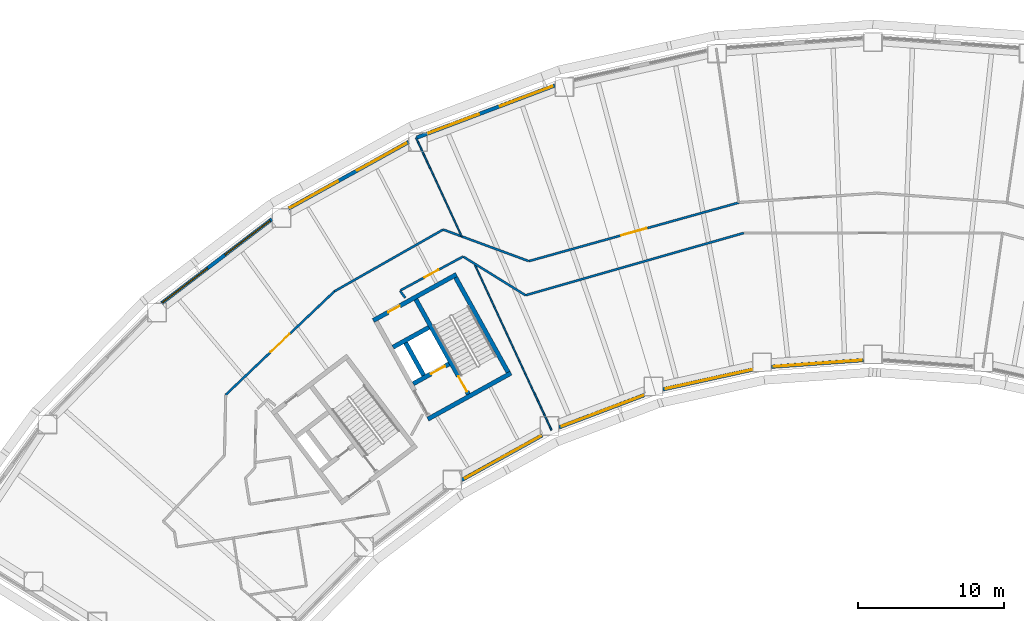
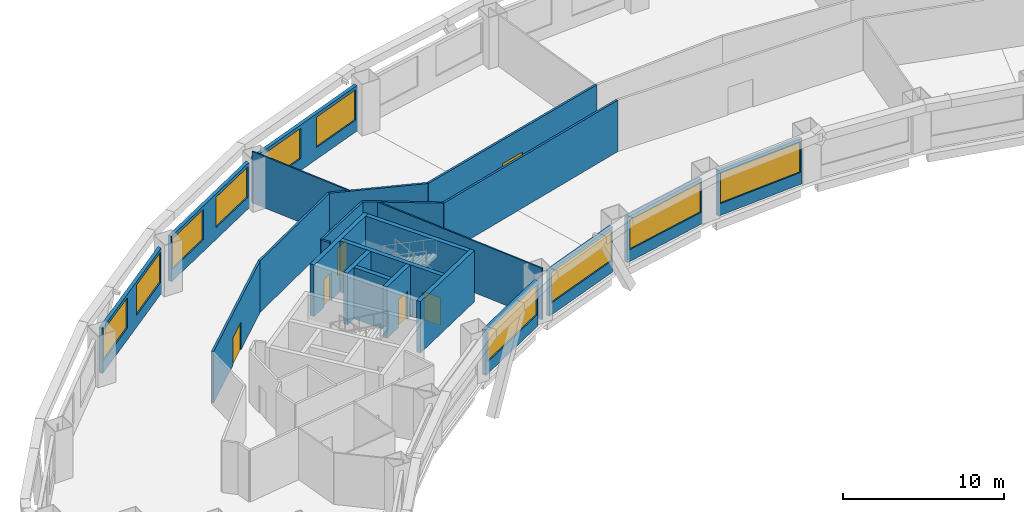
# One storey, part 4 of 14: 24 walls, 10 windows, 6 doors, 16 openings.
"""IFC4 building model written with IfcOpenShell, lengths in metres."""

from ifc_helpers import new_model, si_unit, direction, frame, frame_2d, origin, place, context, subcontext, project, spatial, rectangle, extrude, material, layer, layer_set, type_object, element, fill, save


model = new_model("IFC4")

# Units and contexts
model_context = context("Model", 3, precision=1e-05, world=origin(), true_north=direction((0.0, 1.0)))
body_context = subcontext(model_context, "Body", "Model", "MODEL_VIEW")
ifc_project = project(units=[si_unit("LENGTHUNIT", "METRE"), si_unit("AREAUNIT", "SQUARE_METRE"), si_unit("VOLUMEUNIT", "CUBIC_METRE"), si_unit("PLANEANGLEUNIT", "RADIAN"), si_unit("MASSUNIT", "GRAM", prefix="KILO")], contexts=[model_context])

# Site, building, storey
site_placement = place(None, origin())
site = spatial("IfcSite", under=ifc_project, at=site_placement, CompositionType="ELEMENT")
building_placement = place(site_placement, origin())
building = spatial("IfcBuilding", under=site, at=building_placement, Name="Tuul Gate Civic Tower", CompositionType="ELEMENT")
storey_placement = place(building_placement, frame((0.0, 0.0, 44.10009765625)))
storey = spatial("IfcBuildingStorey", under=building, at=storey_placement, Name="Level 09", CompositionType="ELEMENT", Elevation=44.10009765625)

# Wall
ifc_material_1 = material(Name="Concrete C50/60", Category="concrete")
ifc_layer_1 = layer(ifc_material_1, 0.300048828125)
ifc_layer_set_1 = layer_set([ifc_layer_1], Name="Concrete C50/60")
wall_type_1 = type_object("IfcWallType", Name="Core wall C50/60", PredefinedType="SHEAR", material=ifc_layer_set_1)
wall_1_placement = place(storey_placement, frame((-24.711669921875, -8.7158203125, 0.0), z_axis=(0.0, 0.0, 1.0), x_axis=(-0.874629909008, -0.484791215132, 0.0)))
element("IfcWall", 1, at=wall_1_placement, inside=storey, type_object=wall_type_1, Name="Core wall", PredefinedType="SHEAR", context=body_context, shape_type="SweptSolid", body=[
    extrude(rectangle(XDim=6.5, YDim=0.300048828125, at=frame_2d((3.25, 0.0))), origin(), (0.0, 0.0, 1.0), 3.89990234375),
])

# Wall, opening, door
wall_2_placement = place(storey_placement, frame((-28.94580078125, -8.090087890625, 0.0), z_axis=(0.0, 0.0, 1.0), x_axis=(-0.874629840737, -0.484791338301, 0.0)))
wall_2 = element("IfcWall", 2, at=wall_2_placement, inside=storey, type_object=wall_type_1, Name="Core wall", PredefinedType="SHEAR", context=body_context, shape_type="SweptSolid", body=[
    extrude(rectangle(XDim=2.800048828125, YDim=0.300048828125, at=frame_2d((1.39990234375, 0.0))), origin(), (0.0, 0.0, 1.0), 3.89990234375),
])
opening_1_placement = place(wall_2_placement, frame((0.324951171875, 0.0, 0.0)))
opening_1 = element("IfcOpeningElement", 3, at=opening_1_placement, cuts=wall_2, Name="Opening LD-FF-1", PredefinedType="OPENING", context=body_context, shape_type="SweptSolid", body=[
    extrude(rectangle(XDim=1.10009765625, YDim=2.10009765625, at=frame_2d((0.550048828125, 1.050048828125))), frame((0.0, 0.16015625, 0.0), z_axis=(0.0, -1.0, 0.0), x_axis=(1.0, 0.0, 0.0)), (0.0, 0.0, 1.0), 0.320068359375),
])
ifc_material_2 = material(Name="Stainless steel", Category="steel")
door_type_1 = type_object("IfcDoorType", Name="Landing door", OperationType="DOUBLE_DOOR_SLIDING", PredefinedType="DOOR", material=ifc_material_2)
door_1_placement = place(opening_1_placement, origin())
door_1 = element("IfcDoor", 4, at=door_1_placement, inside=storey, type_object=door_type_1, Name="Fire-fighting lift FF-1 landing door", OperationType="DOUBLE_DOOR_SLIDING", OverallHeight=2.10009765625, OverallWidth=1.10009765625, PredefinedType="DOOR", context=body_context, shape_type="SweptSolid", body=[
    extrude(rectangle(XDim=1.10009765625, YDim=2.10009765625, at=frame_2d((0.550048828125, 1.050048828125))), frame((0.0, 0.02490234375, 0.0), z_axis=(0.0, -1.0, 0.0), x_axis=(1.0, 0.0, 0.0)), (0.0, 0.0, 1.0), 0.050048828125),
])
fill(opening_1, door_1)

# Wall
wall_3_placement = place(storey_placement, frame((-30.327392578125, -5.59716796875, 0.0), z_axis=(0.0, 0.0, 1.0), x_axis=(-0.874629840737, -0.484791338301, 0.0)))
element("IfcWall", 5, at=wall_3_placement, inside=storey, type_object=wall_type_1, Name="Core wall", PredefinedType="SHEAR", context=body_context, shape_type="SweptSolid", body=[
    extrude(rectangle(XDim=2.800048828125, YDim=0.300048828125, at=frame_2d((1.39990234375, 0.0))), origin(), (0.0, 0.0, 1.0), 3.89990234375),
])

# Wall, opening, door
wall_4_placement = place(storey_placement, frame((-28.4443359375, -1.98095703125, 0.0), z_axis=(0.0, 0.0, 1.0), x_axis=(-0.874629909008, -0.484791215132, 0.0)))
wall_4 = element("IfcWall", 6, at=wall_4_placement, inside=storey, type_object=wall_type_1, Name="Core wall", PredefinedType="SHEAR", context=body_context, shape_type="SweptSolid", body=[
    extrude(rectangle(XDim=6.5, YDim=0.300048828125, at=frame_2d((3.25, 0.0))), origin(), (0.0, 0.0, 1.0), 3.89990234375),
])
opening_2_placement = place(wall_4_placement, frame((4.425048828125, 0.0, 0.0)))
opening_2 = element("IfcOpeningElement", 7, at=opening_2_placement, cuts=wall_4, Name="Opening B-D18", PredefinedType="OPENING", context=body_context, shape_type="SweptSolid", body=[
    extrude(rectangle(XDim=0.89990234375, YDim=2.10009765625, at=frame_2d((0.449951171875, 1.050048828125))), frame((0.0, 0.16015625, 0.0), z_axis=(0.0, -1.0, 0.0), x_axis=(1.0, 0.0, 0.0)), (0.0, 0.0, 1.0), 0.320068359375),
])
ifc_material_3 = material(Name="Timber door leaf", Category="wood")
door_type_2 = type_object("IfcDoorType", Name="Door D09", OperationType="NOTDEFINED", PredefinedType="DOOR", material=ifc_material_3)
door_2_placement = place(opening_2_placement, origin())
door_2 = element("IfcDoor", 8, at=door_2_placement, inside=storey, type_object=door_type_2, Name="Door B-D18", OperationType="SINGLE_SWING_LEFT", OverallHeight=2.10009765625, OverallWidth=0.89990234375, PredefinedType="DOOR", context=body_context, shape_type="SweptSolid", body=[
    extrude(rectangle(XDim=0.89990234375, YDim=2.10009765625, at=frame_2d((0.449951171875, 1.050048828125))), frame((0.0, 0.02490234375, 0.0), z_axis=(0.0, -1.0, 0.0), x_axis=(1.0, 0.0, 0.0)), (0.0, 0.0, 1.0), 0.050048828125),
])
fill(opening_2, door_2)

# Wall
wall_5_placement = place(storey_placement, frame((-24.91552734375, -8.6572265625, 0.0), z_axis=(0.0, 0.0, 1.0), x_axis=(-0.484777133038, 0.874637714304, 0.0)))
element("IfcWall", 9, at=wall_5_placement, inside=storey, type_object=wall_type_1, Name="Core wall", PredefinedType="SHEAR", context=body_context, shape_type="SweptSolid", body=[
    extrude(rectangle(XDim=7.400146484375, YDim=0.300048828125, at=frame_2d((3.7001953125, 0.0))), origin(), (0.0, 0.0, 1.0), 3.89990234375),
])

# Wall, opening, door
wall_6_placement = place(storey_placement, frame((-27.626953125, -10.16015625, 0.0), z_axis=(0.0, 0.0, 1.0), x_axis=(-0.484751894226, 0.874651702704, 0.0)))
wall_6 = element("IfcWall", 10, at=wall_6_placement, inside=storey, type_object=wall_type_1, Name="Core wall", PredefinedType="SHEAR", context=body_context, shape_type="SweptSolid", body=[
    extrude(rectangle(XDim=7.39990234375, YDim=0.300048828125, at=frame_2d((3.699951171875, 0.0))), origin(), (0.0, 0.0, 1.0), 3.89990234375),
])
opening_3_placement = place(wall_6_placement, frame((0.199951171875, 0.0, 0.0)))
opening_3 = element("IfcOpeningElement", 11, at=opening_3_placement, cuts=wall_6, Name="Opening SD-ST-2", PredefinedType="OPENING", context=body_context, shape_type="SweptSolid", body=[
    extrude(rectangle(XDim=1.199951171875, YDim=2.10009765625, at=frame_2d((0.60009765625, 1.050048828125))), frame((0.0, 0.16015625, 0.0), z_axis=(0.0, -1.0, 0.0), x_axis=(1.0, 0.0, 0.0)), (0.0, 0.0, 1.0), 0.320068359375),
])
ifc_material_4 = material(Name="Steel", Category="steel")
door_type_3 = type_object("IfcDoorType", Name="Stair door", OperationType="NOTDEFINED", PredefinedType="DOOR", material=ifc_material_4)
door_3_placement = place(opening_3_placement, origin())
door_3 = element("IfcDoor", 12, at=door_3_placement, inside=storey, type_object=door_type_3, Name="Stair door ST-2", OperationType="SINGLE_SWING_LEFT", OverallHeight=2.10009765625, OverallWidth=1.199951171875, PredefinedType="DOOR", context=body_context, shape_type="SweptSolid", body=[
    extrude(rectangle(XDim=1.199951171875, YDim=2.10009765625, at=frame_2d((0.60009765625, 1.050048828125))), frame((0.0, 0.02490234375, 0.0), z_axis=(0.0, -1.0, 0.0), x_axis=(1.0, 0.0, 0.0)), (0.0, 0.0, 1.0), 0.050048828125),
])
fill(opening_3, door_3)

# Wall
wall_7_placement = place(storey_placement, frame((-30.680419921875, -8.8798828125, 0.0), z_axis=(0.0, 0.0, 1.0), x_axis=(-0.484724115216, 0.874667097888, 0.0)))
element("IfcWall", 13, at=wall_7_placement, inside=storey, type_object=wall_type_1, Name="Core wall", PredefinedType="SHEAR", context=body_context, shape_type="SweptSolid", body=[
    extrude(rectangle(XDim=2.550048828125, YDim=0.300048828125, at=frame_2d((1.27490234375, 0.0))), origin(), (0.0, 0.0, 1.0), 3.89990234375),
])

# Wall, opening, door
ifc_material_5 = material(Name="Gypsum board partition")
ifc_layer_2 = layer(ifc_material_5, 0.14990234375)
ifc_layer_set_2 = layer_set([ifc_layer_2], Name="Gypsum board partition")
wall_type_2 = type_object("IfcWallType", Name="Corridor wall P150", PredefinedType="PARTITIONING", material=ifc_layer_set_2)
wall_8_placement = place(storey_placement, frame((-23.492431640625, -1.0703125, 0.0), z_axis=(0.0, 0.0, 1.0), x_axis=(0.963275368235, 0.268515483636, 0.0)))
wall_8 = element("IfcWall", 14, at=wall_8_placement, inside=storey, type_object=wall_type_2, Name="p028", PredefinedType="PARTITIONING", context=body_context, shape_type="SweptSolid", body=[
    extrude(rectangle(XDim=14.92138671875, YDim=0.14990234375, at=frame_2d((7.460693359375, 0.0))), origin(), (0.0, 0.0, 1.0), 3.89990234375),
])
opening_4_placement = place(wall_8_placement, frame((6.53759765625, 0.0, 0.0)))
opening_4 = element("IfcOpeningElement", 15, at=opening_4_placement, cuts=wall_8, Name="Opening B-D05", PredefinedType="OPENING", context=body_context, shape_type="SweptSolid", body=[
    extrude(rectangle(XDim=1.800048828125, YDim=2.10009765625, at=frame_2d((0.89990234375, 1.050048828125))), frame((0.0, 0.0849609375, 0.0), z_axis=(0.0, -1.0, 0.0), x_axis=(1.0, 0.0, 0.0)), (0.0, 0.0, 1.0), 0.169921875),
])
ifc_material_6 = material(Name="Timber door leaf, double", Category="wood")
door_type_4 = type_object("IfcDoorType", Name="Door D18", OperationType="DOUBLE_DOOR_SINGLE_SWING", PredefinedType="DOOR", material=ifc_material_6)
door_4_placement = place(opening_4_placement, origin())
door_4 = element("IfcDoor", 16, at=door_4_placement, inside=storey, type_object=door_type_4, Name="Door B-D05", OperationType="DOUBLE_DOOR_SINGLE_SWING", OverallHeight=2.10009765625, OverallWidth=1.800048828125, PredefinedType="DOOR", context=body_context, shape_type="SweptSolid", body=[
    extrude(rectangle(XDim=1.800048828125, YDim=2.10009765625, at=frame_2d((0.89990234375, 1.050048828125))), frame((0.0, 0.02490234375, 0.0), z_axis=(0.0, -1.0, 0.0), x_axis=(1.0, 0.0, 0.0)), (0.0, 0.0, 1.0), 0.050048828125),
])
fill(opening_4, door_4)

# Walls
wall_9_placement = place(storey_placement, frame((-29.3486328125, 1.084228515625, 0.0), z_axis=(0.0, 0.0, 1.0), x_axis=(0.938272147165, -0.345897929822, 0.0)))
element("IfcWall", 17, at=wall_9_placement, inside=storey, type_object=wall_type_2, Name="p031", PredefinedType="PARTITIONING", context=body_context, shape_type="SweptSolid", body=[
    extrude(rectangle(XDim=6.2275390625, YDim=0.14990234375, at=frame_2d((3.11376953125, 0.0))), origin(), (0.0, 0.0, 1.0), 3.89990234375),
])
wall_10_placement = place(storey_placement, frame((-36.777587890625, -3.133544921875, 0.0), z_axis=(0.0, 0.0, 1.0), x_axis=(0.869618597413, 0.493724108216, 0.0)))
element("IfcWall", 18, at=wall_10_placement, inside=storey, type_object=wall_type_2, Name="p036", PredefinedType="PARTITIONING", context=body_context, shape_type="SweptSolid", body=[
    extrude(rectangle(XDim=8.542724609375, YDim=0.14990234375, at=frame_2d((4.271484375, 0.0))), origin(), (0.0, 0.0, 1.0), 3.89990234375),
])

# Wall, opening, door
wall_11_placement = place(storey_placement, frame((-44.205810546875, -10.203857421875, 0.0), z_axis=(0.0, 0.0, 1.0), x_axis=(0.724341713939, 0.689441137043, 0.0)))
wall_11 = element("IfcWall", 19, at=wall_11_placement, inside=storey, type_object=wall_type_2, Name="p037", PredefinedType="PARTITIONING", context=body_context, shape_type="SweptSolid", body=[
    extrude(rectangle(XDim=10.255126953125, YDim=0.14990234375, at=frame_2d((5.12744140625, 0.0))), origin(), (0.0, 0.0, 1.0), 3.89990234375),
])
opening_5_placement = place(wall_11_placement, frame((4.2275390625, 0.0, 0.0)))
opening_5 = element("IfcOpeningElement", 20, at=opening_5_placement, cuts=wall_11, Name="Opening B-D06", PredefinedType="OPENING", context=body_context, shape_type="SweptSolid", body=[
    extrude(rectangle(XDim=1.800048828125, YDim=2.10009765625, at=frame_2d((0.89990234375, 1.050048828125))), frame((0.0, 0.0849609375, 0.0), z_axis=(0.0, -1.0, 0.0), x_axis=(1.0, 0.0, 0.0)), (0.0, 0.0, 1.0), 0.169921875),
])
door_5_placement = place(opening_5_placement, origin())
door_5 = element("IfcDoor", 21, at=door_5_placement, inside=storey, type_object=door_type_4, Name="Door B-D06", OperationType="DOUBLE_DOOR_SINGLE_SWING", OverallHeight=2.10009765625, OverallWidth=1.800048828125, PredefinedType="DOOR", context=body_context, shape_type="SweptSolid", body=[
    extrude(rectangle(XDim=1.800048828125, YDim=2.10009765625, at=frame_2d((0.89990234375, 1.050048828125))), frame((0.0, 0.02490234375, 0.0), z_axis=(0.0, -1.0, 0.0), x_axis=(1.0, 0.0, 0.0)), (0.0, 0.0, 1.0), 0.050048828125),
])
fill(opening_5, door_5)

# Walls
wall_12_placement = place(storey_placement, frame((-27.98046875, -0.762939453125, 0.0), z_axis=(0.0, 0.0, 1.0), x_axis=(0.849717007956, -0.527239041034, 0.0)))
element("IfcWall", 22, at=wall_12_placement, inside=storey, type_object=wall_type_2, Name="p045", PredefinedType="PARTITIONING", context=body_context, shape_type="SweptSolid", body=[
    extrude(rectangle(XDim=5.006591796875, YDim=0.14990234375, at=frame_2d((2.50341796875, 0.0))), origin(), (0.0, 0.0, 1.0), 3.89990234375),
])
wall_13_placement = place(storey_placement, frame((-23.72509765625, -3.40283203125, 0.0), z_axis=(0.0, 0.0, 1.0), x_axis=(0.961602366551, 0.274446513264, 0.0)))
element("IfcWall", 23, at=wall_13_placement, inside=storey, type_object=wall_type_2, Name="p046", PredefinedType="PARTITIONING", context=body_context, shape_type="SweptSolid", body=[
    extrude(rectangle(XDim=15.5, YDim=0.14990234375, at=frame_2d((7.75, 0.0))), origin(), (0.0, 0.0, 1.0), 3.89990234375),
])
wall_14_placement = place(storey_placement, frame((-32.288818359375, -3.107421875, 0.0), z_axis=(0.0, 0.0, 1.0), x_axis=(0.590436768377, -0.807083900563, 0.0)))
element("IfcWall", 24, at=wall_14_placement, inside=storey, type_object=wall_type_2, Name="p050", PredefinedType="PARTITIONING", context=body_context, shape_type="SweptSolid", body=[
    extrude(rectangle(XDim=0.58251953125, YDim=0.14990234375, at=frame_2d((0.291259765625, 0.0))), origin(), (0.0, 0.0, 1.0), 3.89990234375),
])

# Wall, opening, door
wall_15_placement = place(storey_placement, frame((-32.281982421875, -3.077392578125, 0.0), z_axis=(0.0, 0.0, 1.0), x_axis=(0.879607802106, 0.475699605291, 0.0)))
wall_15 = element("IfcWall", 25, at=wall_15_placement, inside=storey, type_object=wall_type_2, Name="p051", PredefinedType="PARTITIONING", context=body_context, shape_type="SweptSolid", body=[
    extrude(rectangle(XDim=4.866455078125, YDim=0.14990234375, at=frame_2d((2.43310546875, 0.0))), origin(), (0.0, 0.0, 1.0), 3.89990234375),
])
opening_6_placement = place(wall_15_placement, frame((1.88330078125, 0.0, 0.0)))
opening_6 = element("IfcOpeningElement", 26, at=opening_6_placement, cuts=wall_15, Name="Opening B-D10", PredefinedType="OPENING", context=body_context, shape_type="SweptSolid", body=[
    extrude(rectangle(XDim=1.10009765625, YDim=2.10009765625, at=frame_2d((0.550048828125, 1.050048828125))), frame((0.0, 0.0849609375, 0.0), z_axis=(0.0, -1.0, 0.0), x_axis=(1.0, 0.0, 0.0)), (0.0, 0.0, 1.0), 0.169921875),
])
ifc_material_7 = material(Name="Timber door leaf", Category="wood")
door_type_5 = type_object("IfcDoorType", Name="Door D11", OperationType="NOTDEFINED", PredefinedType="DOOR", material=ifc_material_7)
door_6_placement = place(opening_6_placement, origin())
door_6 = element("IfcDoor", 27, at=door_6_placement, inside=storey, type_object=door_type_5, Name="Door B-D10", OperationType="SINGLE_SWING_RIGHT", OverallHeight=2.10009765625, OverallWidth=1.10009765625, PredefinedType="DOOR", context=body_context, shape_type="SweptSolid", body=[
    extrude(rectangle(XDim=1.10009765625, YDim=2.10009765625, at=frame_2d((0.550048828125, 1.050048828125))), frame((0.0, 0.02490234375, 0.0), z_axis=(0.0, -1.0, 0.0), x_axis=(1.0, 0.0, 0.0)), (0.0, 0.0, 1.0), 0.050048828125),
])
fill(opening_6, door_6)

# Wall, openings, windows
ifc_material_8 = material(Name="Precast concrete C40/50", Category="concrete")
ifc_layer_3 = layer(ifc_material_8, 0.25)
ifc_layer_set_3 = layer_set([ifc_layer_3], Name="Precast concrete C40/50")
wall_type_3 = type_object("IfcWallType", Name="External wall", PredefinedType="STANDARD", material=ifc_layer_set_3)
wall_16_placement = place(storey_placement, frame((-21.72705078125, 10.929931640625, 0.0), z_axis=(0.0, 0.0, 1.0), x_axis=(-0.935382009338, -0.353638935365, 0.0)))
wall_16 = element("IfcWall", 28, at=wall_16_placement, inside=storey, type_object=wall_type_3, Name="External wall", PredefinedType="STANDARD", context=body_context, shape_type="SweptSolid", body=[
    extrude(rectangle(XDim=10.077880859375, YDim=0.25, at=frame_2d((5.0390625, 0.0))), origin(), (0.0, 0.0, 1.0), 3.449951171875),
])
opening_7_placement = place(wall_16_placement, frame((0.1552734375, 0.0, 0.89990234375)))
opening_7 = element("IfcOpeningElement", 29, at=opening_7_placement, cuts=wall_16, Name="Opening W22", PredefinedType="OPENING", context=body_context, shape_type="SweptSolid", body=[
    extrude(rectangle(XDim=3.85009765625, YDim=2.300048828125, at=frame_2d((1.925048828125, 1.14990234375))), frame((0.0, 0.135009765625, 0.0), z_axis=(0.0, -1.0, 0.0), x_axis=(1.0, 0.0, 0.0)), (0.0, 0.0, 1.0), 0.27001953125),
])
opening_8_placement = place(wall_16_placement, frame((5.535888671875, 0.0, 0.89990234375)))
opening_8 = element("IfcOpeningElement", 30, at=opening_8_placement, cuts=wall_16, Name="Opening W21", PredefinedType="OPENING", context=body_context, shape_type="SweptSolid", body=[
    extrude(rectangle(XDim=3.699951171875, YDim=2.300048828125, at=frame_2d((1.85009765625, 1.14990234375))), frame((0.0, 0.135009765625, 0.0), z_axis=(0.0, -1.0, 0.0), x_axis=(1.0, 0.0, 0.0)), (0.0, 0.0, 1.0), 0.27001953125),
])
ifc_material_9 = material(Name="Glass", Category="glass")
window_type_1 = type_object("IfcWindowType", Name="Window W21 3700 x 2300", PartitioningType="SINGLE_PANEL", PredefinedType="WINDOW", material=ifc_material_9)
window_1_placement = place(opening_8_placement, origin())
window_1 = element("IfcWindow", 31, at=window_1_placement, inside=storey, type_object=window_type_1, Name="Window", OverallHeight=2.300048828125, OverallWidth=3.699951171875, PartitioningType="SINGLE_PANEL", PredefinedType="WINDOW", context=body_context, shape_type="SweptSolid", body=[
    extrude(rectangle(XDim=3.699951171875, YDim=2.300048828125, at=frame_2d((1.85009765625, 1.14990234375))), frame((0.0, 0.030029296875, 0.0), z_axis=(0.0, -1.0, 0.0), x_axis=(1.0, 0.0, 0.0)), (0.0, 0.0, 1.0), 0.06005859375),
])
fill(opening_8, window_1)
ifc_material_10 = material(Name="Glass", Category="glass")
window_type_2 = type_object("IfcWindowType", Name="Window W22 3850 x 2300", PartitioningType="SINGLE_PANEL", PredefinedType="WINDOW", material=ifc_material_10)
window_2_placement = place(opening_7_placement, origin())
window_2 = element("IfcWindow", 32, at=window_2_placement, inside=storey, type_object=window_type_2, Name="Window", OverallHeight=2.300048828125, OverallWidth=3.85009765625, PartitioningType="SINGLE_PANEL", PredefinedType="WINDOW", context=body_context, shape_type="SweptSolid", body=[
    extrude(rectangle(XDim=3.85009765625, YDim=2.300048828125, at=frame_2d((1.925048828125, 1.14990234375))), frame((0.0, 0.030029296875, 0.0), z_axis=(0.0, -1.0, 0.0), x_axis=(1.0, 0.0, 0.0)), (0.0, 0.0, 1.0), 0.06005859375),
])
fill(opening_7, window_2)

wall_17_placement = place(storey_placement, frame((-31.714111328125, 7.0634765625, 0.0), z_axis=(0.0, 0.0, 1.0), x_axis=(-0.87462564428, -0.484798909206, 0.0)))
wall_17 = element("IfcWall", 33, at=wall_17_placement, inside=storey, type_object=wall_type_3, Name="External wall", PredefinedType="STANDARD", context=body_context, shape_type="SweptSolid", body=[
    extrude(rectangle(XDim=9.35986328125, YDim=0.25, at=frame_2d((4.679931640625, 0.0))), origin(), (0.0, 0.0, 1.0), 3.449951171875),
])
opening_9_placement = place(wall_17_placement, frame((0.164306640625, 0.0, 0.89990234375)))
opening_9 = element("IfcOpeningElement", 34, at=opening_9_placement, cuts=wall_17, Name="Opening W22", PredefinedType="OPENING", context=body_context, shape_type="SweptSolid", body=[
    extrude(rectangle(XDim=3.85009765625, YDim=2.300048828125, at=frame_2d((1.925048828125, 1.14990234375))), frame((0.0, 0.135009765625, 0.0), z_axis=(0.0, -1.0, 0.0), x_axis=(1.0, 0.0, 0.0)), (0.0, 0.0, 1.0), 0.27001953125),
])
opening_10_placement = place(wall_17_placement, frame((5.51708984375, 0.0, 0.89990234375)))
opening_10 = element("IfcOpeningElement", 35, at=opening_10_placement, cuts=wall_17, Name="Opening W99", PredefinedType="OPENING", context=body_context, shape_type="SweptSolid", body=[
    extrude(rectangle(XDim=3.75, YDim=2.300048828125, at=frame_2d((1.875, 1.14990234375))), frame((0.0, 0.135009765625, 0.0), z_axis=(0.0, -1.0, 0.0), x_axis=(1.0, 0.0, 0.0)), (0.0, 0.0, 1.0), 0.27001953125),
])
window_3_placement = place(opening_9_placement, origin())
window_3 = element("IfcWindow", 36, at=window_3_placement, inside=storey, type_object=window_type_2, Name="Window", OverallHeight=2.300048828125, OverallWidth=3.85009765625, PartitioningType="SINGLE_PANEL", PredefinedType="WINDOW", context=body_context, shape_type="SweptSolid", body=[
    extrude(rectangle(XDim=3.85009765625, YDim=2.300048828125, at=frame_2d((1.925048828125, 1.14990234375))), frame((0.0, 0.030029296875, 0.0), z_axis=(0.0, -1.0, 0.0), x_axis=(1.0, 0.0, 0.0)), (0.0, 0.0, 1.0), 0.06005859375),
])
fill(opening_9, window_3)
ifc_material_11 = material(Name="Glass", Category="glass")
window_type_3 = type_object("IfcWindowType", Name="Window W99 3750 x 2300", PartitioningType="SINGLE_PANEL", PredefinedType="WINDOW", material=ifc_material_11)
window_4_placement = place(opening_10_placement, origin())
window_4 = element("IfcWindow", 37, at=window_4_placement, inside=storey, type_object=window_type_3, Name="Window", OverallHeight=2.300048828125, OverallWidth=3.75, PartitioningType="SINGLE_PANEL", PredefinedType="WINDOW", context=body_context, shape_type="SweptSolid", body=[
    extrude(rectangle(XDim=3.75, YDim=2.300048828125, at=frame_2d((1.875, 1.14990234375))), frame((0.0, 0.030029296875, 0.0), z_axis=(0.0, -1.0, 0.0), x_axis=(1.0, 0.0, 0.0)), (0.0, 0.0, 1.0), 0.06005859375),
])
fill(opening_10, window_4)

wall_18_placement = place(storey_placement, frame((-41.052001953125, 1.7900390625, 0.0), z_axis=(0.0, 0.0, 1.0), x_axis=(-0.795612935537, -0.605805296119, 0.0)))
wall_18 = element("IfcWall", 38, at=wall_18_placement, inside=storey, type_object=wall_type_3, Name="External wall", PredefinedType="STANDARD", context=body_context, shape_type="SweptSolid", body=[
    extrude(rectangle(XDim=9.461669921875, YDim=0.25, at=frame_2d((4.73095703125, 0.0))), origin(), (0.0, 0.0, 1.0), 3.449951171875),
])
opening_11_placement = place(wall_18_placement, frame((0.158935546875, 0.0, 0.89990234375)))
opening_11 = element("IfcOpeningElement", 39, at=opening_11_placement, cuts=wall_18, Name="Opening W22", PredefinedType="OPENING", context=body_context, shape_type="SweptSolid", body=[
    extrude(rectangle(XDim=3.85009765625, YDim=2.300048828125, at=frame_2d((1.925048828125, 1.14990234375))), frame((0.0, 0.135009765625, 0.0), z_axis=(0.0, -1.0, 0.0), x_axis=(1.0, 0.0, 0.0)), (0.0, 0.0, 1.0), 0.27001953125),
])
opening_12_placement = place(wall_18_placement, frame((5.5302734375, 0.0, 0.89990234375)))
opening_12 = element("IfcOpeningElement", 40, at=opening_12_placement, cuts=wall_18, Name="Opening W22", PredefinedType="OPENING", context=body_context, shape_type="SweptSolid", body=[
    extrude(rectangle(XDim=3.85009765625, YDim=2.300048828125, at=frame_2d((1.925048828125, 1.14990234375))), frame((0.0, 0.135009765625, 0.0), z_axis=(0.0, -1.0, 0.0), x_axis=(1.0, 0.0, 0.0)), (0.0, 0.0, 1.0), 0.27001953125),
])
window_5_placement = place(opening_11_placement, origin())
window_5 = element("IfcWindow", 41, at=window_5_placement, inside=storey, type_object=window_type_2, Name="Window", OverallHeight=2.300048828125, OverallWidth=3.85009765625, PartitioningType="SINGLE_PANEL", PredefinedType="WINDOW", context=body_context, shape_type="SweptSolid", body=[
    extrude(rectangle(XDim=3.85009765625, YDim=2.300048828125, at=frame_2d((1.925048828125, 1.14990234375))), frame((0.0, 0.030029296875, 0.0), z_axis=(0.0, -1.0, 0.0), x_axis=(1.0, 0.0, 0.0)), (0.0, 0.0, 1.0), 0.06005859375),
])
fill(opening_11, window_5)
window_6_placement = place(opening_12_placement, origin())
window_6 = element("IfcWindow", 42, at=window_6_placement, inside=storey, type_object=window_type_2, Name="Window", OverallHeight=2.300048828125, OverallWidth=3.85009765625, PartitioningType="SINGLE_PANEL", PredefinedType="WINDOW", context=body_context, shape_type="SweptSolid", body=[
    extrude(rectangle(XDim=3.85009765625, YDim=2.300048828125, at=frame_2d((1.925048828125, 1.14990234375))), frame((0.0, 0.030029296875, 0.0), z_axis=(0.0, -1.0, 0.0), x_axis=(1.0, 0.0, 0.0)), (0.0, 0.0, 1.0), 0.06005859375),
])
fill(opening_12, window_6)

# Wall, opening, window
wall_19_placement = place(storey_placement, frame((-28.076904296875, -16.0166015625, 0.0), z_axis=(0.0, 0.0, 1.0), x_axis=(0.874630436192, 0.484790264018, 0.0)))
wall_19 = element("IfcWall", 43, at=wall_19_placement, inside=storey, type_object=wall_type_3, Name="External wall", PredefinedType="STANDARD", context=body_context, shape_type="SweptSolid", body=[
    extrude(rectangle(XDim=6.27392578125, YDim=0.25, at=frame_2d((3.136962890625, 0.0))), origin(), (0.0, 0.0, 1.0), 3.449951171875),
])
opening_13_placement = place(wall_19_placement, frame((0.237060546875, 0.0, 0.89990234375)))
opening_13 = element("IfcOpeningElement", 44, at=opening_13_placement, cuts=wall_19, Name="Opening W101", PredefinedType="OPENING", context=body_context, shape_type="SweptSolid", body=[
    extrude(rectangle(XDim=5.949951171875, YDim=2.300048828125, at=frame_2d((2.97509765625, 1.14990234375))), frame((0.0, 0.135009765625, 0.0), z_axis=(0.0, -1.0, 0.0), x_axis=(1.0, 0.0, 0.0)), (0.0, 0.0, 1.0), 0.27001953125),
])
ifc_material_12 = material(Name="Glass", Category="glass")
window_type_4 = type_object("IfcWindowType", Name="Window W101 5950 x 2300", PartitioningType="SINGLE_PANEL", PredefinedType="WINDOW", material=ifc_material_12)
window_7_placement = place(opening_13_placement, origin())
window_7 = element("IfcWindow", 45, at=window_7_placement, inside=storey, type_object=window_type_4, Name="Window", OverallHeight=2.300048828125, OverallWidth=5.949951171875, PartitioningType="SINGLE_PANEL", PredefinedType="WINDOW", context=body_context, shape_type="SweptSolid", body=[
    extrude(rectangle(XDim=5.949951171875, YDim=2.300048828125, at=frame_2d((2.97509765625, 1.14990234375))), frame((0.0, 0.030029296875, 0.0), z_axis=(0.0, -1.0, 0.0), x_axis=(1.0, 0.0, 0.0)), (0.0, 0.0, 1.0), 0.06005859375),
])
fill(opening_13, window_7)

wall_20_placement = place(storey_placement, frame((-21.43701171875, -12.426513671875, 0.0), z_axis=(0.0, 0.0, 1.0), x_axis=(0.935359836581, 0.353697577193, 0.0)))
wall_20 = element("IfcWall", 46, at=wall_20_placement, inside=storey, type_object=wall_type_3, Name="External wall", PredefinedType="STANDARD", context=body_context, shape_type="SweptSolid", body=[
    extrude(rectangle(XDim=6.201904296875, YDim=0.25, at=frame_2d((3.10107421875, 0.0))), origin(), (0.0, 0.0, 1.0), 3.449951171875),
])
opening_14_placement = place(wall_20_placement, frame((0.2060546875, 0.0, 0.89990234375)))
opening_14 = element("IfcOpeningElement", 47, at=opening_14_placement, cuts=wall_20, Name="Opening W101", PredefinedType="OPENING", context=body_context, shape_type="SweptSolid", body=[
    extrude(rectangle(XDim=5.949951171875, YDim=2.300048828125, at=frame_2d((2.97509765625, 1.14990234375))), frame((0.0, 0.135009765625, 0.0), z_axis=(0.0, -1.0, 0.0), x_axis=(1.0, 0.0, 0.0)), (0.0, 0.0, 1.0), 0.27001953125),
])
window_8_placement = place(opening_14_placement, origin())
window_8 = element("IfcWindow", 48, at=window_8_placement, inside=storey, type_object=window_type_4, Name="Window", OverallHeight=2.300048828125, OverallWidth=5.949951171875, PartitioningType="SINGLE_PANEL", PredefinedType="WINDOW", context=body_context, shape_type="SweptSolid", body=[
    extrude(rectangle(XDim=5.949951171875, YDim=2.300048828125, at=frame_2d((2.97509765625, 1.14990234375))), frame((0.0, 0.030029296875, 0.0), z_axis=(0.0, -1.0, 0.0), x_axis=(1.0, 0.0, 0.0)), (0.0, 0.0, 1.0), 0.06005859375),
])
fill(opening_14, window_8)

wall_21_placement = place(storey_placement, frame((-14.3359375, -9.8291015625, 0.0), z_axis=(0.0, 0.0, 1.0), x_axis=(0.97656633669, 0.215216611915, 0.0)))
wall_21 = element("IfcWall", 49, at=wall_21_placement, inside=storey, type_object=wall_type_3, Name="External wall", PredefinedType="STANDARD", context=body_context, shape_type="SweptSolid", body=[
    extrude(rectangle(XDim=6.2607421875, YDim=0.25, at=frame_2d((3.13037109375, 0.0))), origin(), (0.0, 0.0, 1.0), 3.449951171875),
])
opening_15_placement = place(wall_21_placement, frame((0.2021484375, 0.0, 0.89990234375)))
opening_15 = element("IfcOpeningElement", 50, at=opening_15_placement, cuts=wall_21, Name="Opening W26", PredefinedType="OPENING", context=body_context, shape_type="SweptSolid", body=[
    extrude(rectangle(XDim=6.0, YDim=2.300048828125, at=frame_2d((3.0, 1.14990234375))), frame((0.0, 0.135009765625, 0.0), z_axis=(0.0, -1.0, 0.0), x_axis=(1.0, 0.0, 0.0)), (0.0, 0.0, 1.0), 0.27001953125),
])
ifc_material_13 = material(Name="Glass", Category="glass")
window_type_5 = type_object("IfcWindowType", Name="Window W26 6000 x 2300", PartitioningType="SINGLE_PANEL", PredefinedType="WINDOW", material=ifc_material_13)
window_9_placement = place(opening_15_placement, origin())
window_9 = element("IfcWindow", 51, at=window_9_placement, inside=storey, type_object=window_type_5, Name="Window", OverallHeight=2.300048828125, OverallWidth=6.0, PartitioningType="SINGLE_PANEL", PredefinedType="WINDOW", context=body_context, shape_type="SweptSolid", body=[
    extrude(rectangle(XDim=6.0, YDim=2.300048828125, at=frame_2d((3.0, 1.14990234375))), frame((0.0, 0.030029296875, 0.0), z_axis=(0.0, -1.0, 0.0), x_axis=(1.0, 0.0, 0.0)), (0.0, 0.0, 1.0), 0.06005859375),
])
fill(opening_15, window_9)

wall_22_placement = place(storey_placement, frame((-6.922119140625, -8.284423828125, 0.0), z_axis=(0.0, 0.0, 1.0), x_axis=(0.997395047269, 0.072132653374, 0.0)))
wall_22 = element("IfcWall", 52, at=wall_22_placement, inside=storey, type_object=wall_type_3, Name="External wall", PredefinedType="STANDARD", context=body_context, shape_type="SweptSolid", body=[
    extrude(rectangle(XDim=6.28857421875, YDim=0.25, at=frame_2d((3.144287109375, 0.0))), origin(), (0.0, 0.0, 1.0), 3.449951171875),
])
opening_16_placement = place(wall_22_placement, frame((0.167724609375, 0.0, 0.89990234375)))
opening_16 = element("IfcOpeningElement", 53, at=opening_16_placement, cuts=wall_22, Name="Opening W26", PredefinedType="OPENING", context=body_context, shape_type="SweptSolid", body=[
    extrude(rectangle(XDim=6.0, YDim=2.300048828125, at=frame_2d((3.0, 1.14990234375))), frame((0.0, 0.135009765625, 0.0), z_axis=(0.0, -1.0, 0.0), x_axis=(1.0, 0.0, 0.0)), (0.0, 0.0, 1.0), 0.27001953125),
])
window_10_placement = place(opening_16_placement, origin())
window_10 = element("IfcWindow", 54, at=window_10_placement, inside=storey, type_object=window_type_5, Name="Window", OverallHeight=2.300048828125, OverallWidth=6.0, PartitioningType="SINGLE_PANEL", PredefinedType="WINDOW", context=body_context, shape_type="SweptSolid", body=[
    extrude(rectangle(XDim=6.0, YDim=2.300048828125, at=frame_2d((3.0, 1.14990234375))), frame((0.0, 0.030029296875, 0.0), z_axis=(0.0, -1.0, 0.0), x_axis=(1.0, 0.0, 0.0)), (0.0, 0.0, 1.0), 0.06005859375),
])
fill(opening_16, window_10)

# Walls
ifc_material_14 = material(Name="Gypsum board partition")
ifc_layer_4 = layer(ifc_material_14, 0.10009765625)
ifc_layer_set_4 = layer_set([ifc_layer_4], Name="Gypsum board partition")
wall_type_4 = type_object("IfcWallType", Name="Partition P100", PredefinedType="PARTITIONING", material=ifc_layer_set_4)
wall_23_placement = place(storey_placement, frame((-31.202880859375, 7.3525390625, 0.0), z_axis=(0.0, 0.0, 1.0), x_axis=(0.420359305998, -0.907357732023, 0.0)))
element("IfcWall", 55, at=wall_23_placement, inside=storey, type_object=wall_type_4, Name="p029", PredefinedType="PARTITIONING", context=body_context, shape_type="SweptSolid", body=[
    extrude(rectangle(XDim=7.422607421875, YDim=0.10009765625, at=frame_2d((3.71142578125, 0.0))), origin(), (0.0, 0.0, 1.0), 3.89990234375),
])
wall_24_placement = place(storey_placement, frame((-27.226318359375, -1.23095703125, 0.0), z_axis=(0.0, 0.0, 1.0), x_axis=(0.420356002092, -0.907359262644, 0.0)))
element("IfcWall", 56, at=wall_24_placement, inside=storey, type_object=wall_type_4, Name="p030", PredefinedType="PARTITIONING", context=body_context, shape_type="SweptSolid", body=[
    extrude(rectangle(XDim=12.557373046875, YDim=0.10009765625, at=frame_2d((6.27880859375, 0.0))), origin(), (0.0, 0.0, 1.0), 3.89990234375),
])

save(model, "model.ifc")
